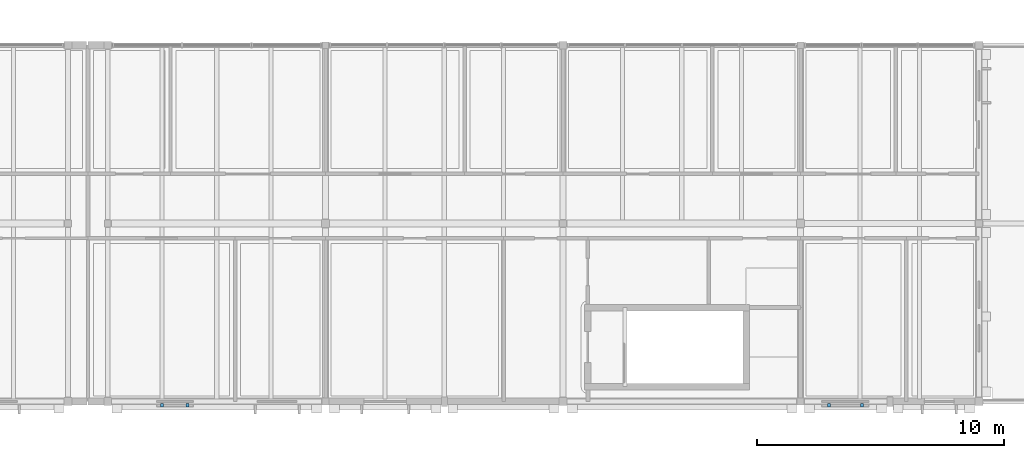
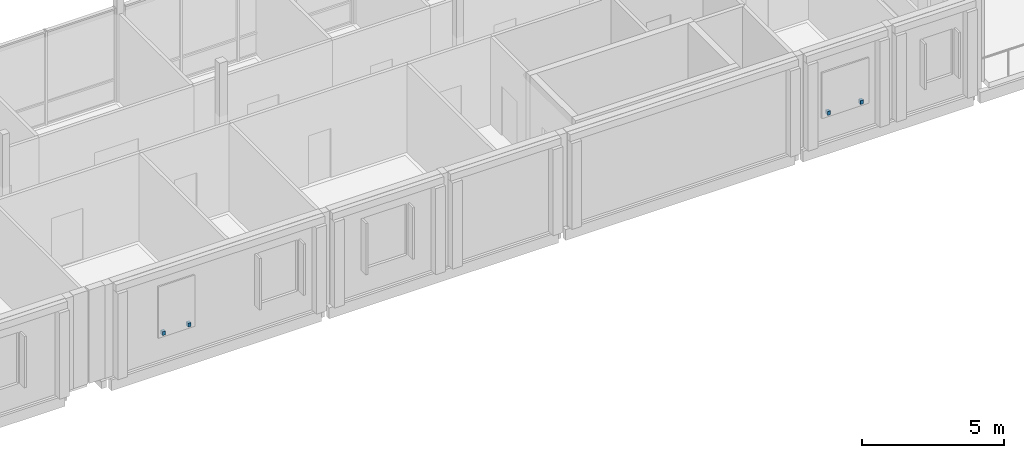
# One storey, part 49 of 57: 4 discrete accessories.
"""IFC4 building model written with IfcOpenShell, lengths in metres."""

from ifc_helpers import new_model, si_unit, direction, frame, origin, origin_2d, place, context, subcontext, project, spatial, rectangle, extrude, material, type_object, element, save


model = new_model("IFC4")

# Units and contexts
model_context = context("Model", 3, precision=1e-05, world=origin(), true_north=direction((0.0, 1.0)))
body_context = subcontext(model_context, "Body", "Model", "MODEL_VIEW")
ifc_project = project(units=[si_unit("LENGTHUNIT", "METRE"), si_unit("AREAUNIT", "SQUARE_METRE"), si_unit("VOLUMEUNIT", "CUBIC_METRE"), si_unit("PLANEANGLEUNIT", "RADIAN"), si_unit("MASSUNIT", "GRAM", prefix="KILO")], contexts=[model_context])

# Site, building, storey
site_placement = place(None, origin())
site = spatial("IfcSite", under=ifc_project, at=site_placement, CompositionType="ELEMENT")
building_placement = place(site_placement, origin())
building = spatial("IfcBuilding", under=site, at=building_placement, Name="Hawrajan Terrace Health Centre", CompositionType="ELEMENT")
storey_placement = place(building_placement, frame((0.0, 0.0, 13.199951171875)))
storey = spatial("IfcBuildingStorey", under=building, at=storey_placement, Name="L03", CompositionType="ELEMENT", Elevation=13.199951171875)

# Discrete accessories
ifc_material = material(Name="Steel S355", Category="steel")
discrete_accessory_type = type_object("IfcDiscreteAccessoryType", Name="FacadeBracket_S355", PredefinedType="BRACKET", material=ifc_material)
for number, where, z_axis, x_axis, name in (
    (1, (74.794189453125, 4.044921875, 1.0703125), (0.0, 0.0, 1.0), (1.0, 0.0, 0.0), "Roshan support bracket BRK-L03-234-1"),
    (2, (75.830078125, 4.044921875, 1.0703125), (0.0, 0.0, 1.0), (1.0, 0.0, 0.0), "Roshan support bracket BRK-L03-234-2"),
    (3, (101.7451171875, 4.044921875, 1.0703125), (0.0, 0.0, 1.0), (1.0, 0.0, 0.0), "Roshan support bracket BRK-L03-239-1"),
    (4, (103.074951171875, 4.044921875, 1.0703125), (0.0, 0.0, 1.0), (1.0, 0.0, 0.0), "Roshan support bracket BRK-L03-239-2"),
):
    element("IfcDiscreteAccessory", number, at=place(storey_placement, frame(where, z_axis=z_axis, x_axis=x_axis)), inside=storey, type_object=discrete_accessory_type, Name=name, PredefinedType="BRACKET", context=body_context, shape_type="SweptSolid", body=[
        extrude(rectangle(XDim=0.1201171875, YDim=0.139892578125, at=origin_2d()), origin(), (0.0, 0.0, 1.0), 0.159912109375),
    ])

save(model, "model.ifc")
